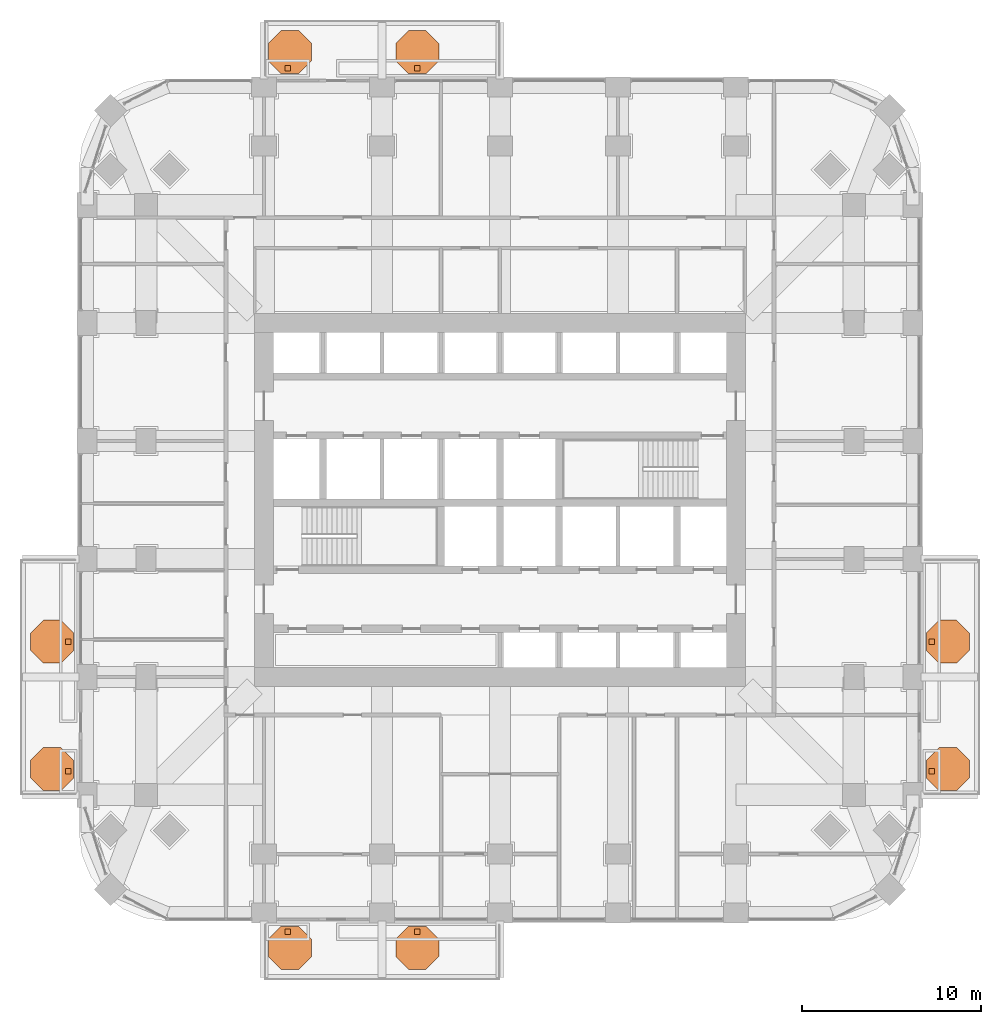
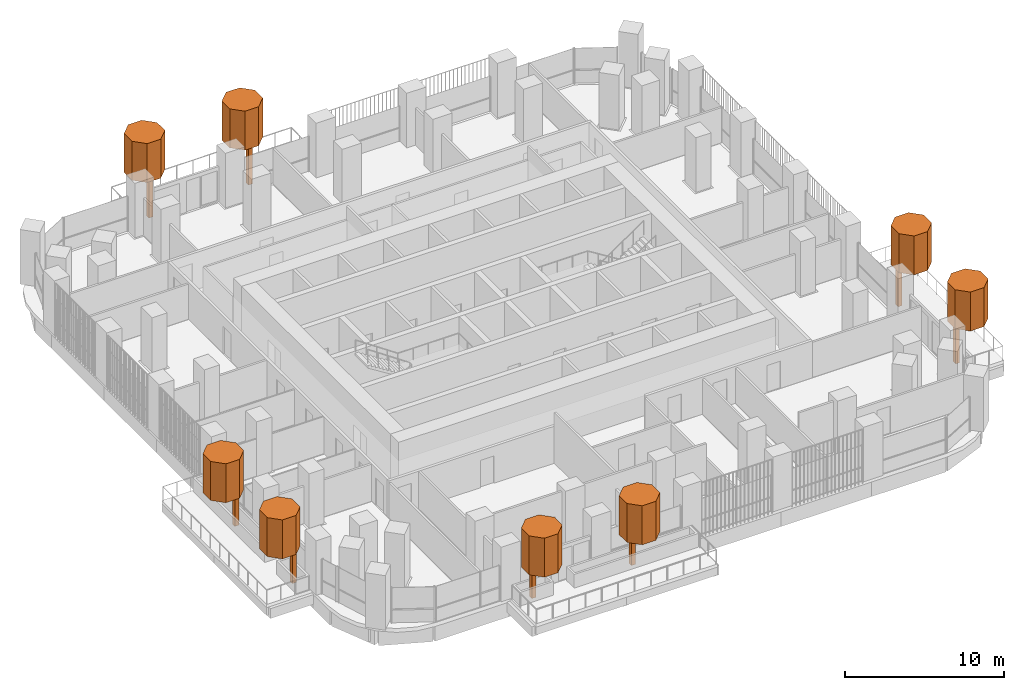
# One storey, part 21 of 21: 16 geographic elements.
"""IFC4 building model written with IfcOpenShell, lengths in metres."""

from ifc_helpers import new_model, si_unit, direction, frame, origin, origin_2d, place, context, subcontext, project, spatial, polyline, rectangle, outline, extrude, material, type_object, element, save


model = new_model("IFC4")

# Units and contexts
model_context = context("Model", 3, precision=1e-05, world=origin(), true_north=direction((0.0, 1.0)))
body_context = subcontext(model_context, "Body", "Model", "MODEL_VIEW")
ifc_project = project(units=[si_unit("LENGTHUNIT", "METRE"), si_unit("AREAUNIT", "SQUARE_METRE"), si_unit("VOLUMEUNIT", "CUBIC_METRE"), si_unit("PLANEANGLEUNIT", "RADIAN"), si_unit("MASSUNIT", "GRAM", prefix="KILO")], contexts=[model_context])

# Site, building, storey
site_placement = place(None, origin())
site = spatial("IfcSite", under=ifc_project, at=site_placement, CompositionType="ELEMENT")
building_placement = place(site_placement, origin())
building = spatial("IfcBuilding", under=site, at=building_placement, Name="Cobogo Forest Laboratory Tower", CompositionType="ELEMENT")
storey_placement = place(building_placement, frame((0.0, 0.0, 115.800048828125)))
storey = spatial("IfcBuildingStorey", under=building, at=storey_placement, Name="L26", CompositionType="ELEMENT", Elevation=115.800048828125)

# Geographic elements
ifc_material = material(Name="Planting", Category="plant")
geographic_element_type_1 = type_object("IfcGeographicElementType", Name="Tree trunk 300", PredefinedType="USERDEFINED", material=ifc_material)
for number, where, z_axis, x_axis, name in (
    (1, (14.52490234375, -1.050048828125, 0.0), (0.0, 0.0, 1.0), (1.0, 0.0, 0.0), "Tree trunk BAL-S1-PL1 L26"),
    (2, (21.77490234375, -1.050048828125, 0.0), (0.0, 0.0, 1.0), (1.0, 0.0, 0.0), "Tree trunk BAL-S1-PL2 L26"),
    (3, (50.550048828125, 7.925048828125, 0.0), (0.0, 0.0, 1.0), (1.0, 0.0, 0.0), "Tree trunk BAL-E1-PL1 L26"),
    (4, (50.550048828125, 15.175048828125, 0.0), (0.0, 0.0, 1.0), (1.0, 0.0, 0.0), "Tree trunk BAL-E1-PL2 L26"),
    (5, (14.52490234375, 47.25, 0.0), (0.0, 0.0, 1.0), (1.0, 0.0, 0.0), "Tree trunk BAL-N1-PL1 L26"),
    (6, (21.77490234375, 47.25, 0.0), (0.0, 0.0, 1.0), (1.0, 0.0, 0.0), "Tree trunk BAL-N1-PL2 L26"),
    (7, (2.25, 7.925048828125, 0.0), (0.0, 0.0, 1.0), (1.0, 0.0, 0.0), "Tree trunk BAL-W1-PL1 L26"),
    (8, (2.25, 15.175048828125, 0.0), (0.0, 0.0, 1.0), (1.0, 0.0, 0.0), "Tree trunk BAL-W1-PL2 L26"),
):
    element("IfcGeographicElement", number, at=place(storey_placement, frame(where, z_axis=z_axis, x_axis=x_axis)), inside=storey, type_object=geographic_element_type_1, Name=name, ObjectType="TREE TRUNK", PredefinedType="USERDEFINED", context=body_context, shape_type="SweptSolid", body=[
        extrude(rectangle(XDim=0.300048828125, YDim=0.300048828125, at=origin_2d()), origin(), (0.0, 0.0, 1.0), 2.89990234375),
    ])
geographic_element_type_2 = type_object("IfcGeographicElementType", Name="Tree, holm oak 5 m", PredefinedType="USERDEFINED", material=ifc_material)
geographic_element_1_placement = place(storey_placement, frame((0.0, 0.0, 2.89990234375)))
element("IfcGeographicElement", 9, at=geographic_element_1_placement, inside=storey, type_object=geographic_element_type_2, Name="Holm tree BAL-S1-PL1 L26", ObjectType="TREE", PredefinedType="USERDEFINED", context=body_context, shape_type="SweptSolid", body=[
    extrude(outline(polyline([(15.85009765625, -2.447021484375), (15.85009765625, -1.452880859375), (15.14697265625, -0.75), (14.15283203125, -0.75), (13.449951171875, -1.452880859375), (13.449951171875, -2.447021484375), (14.15283203125, -3.14990234375), (15.14697265625, -3.14990234375), (15.85009765625, -2.447021484375)])), origin(), (0.0, 0.0, 1.0), 3.0),
])
geographic_element_2_placement = place(storey_placement, frame((0.0, 0.0, 2.89990234375)))
element("IfcGeographicElement", 10, at=geographic_element_2_placement, inside=storey, type_object=geographic_element_type_2, Name="Holm tree BAL-S1-PL2 L26", ObjectType="TREE", PredefinedType="USERDEFINED", context=body_context, shape_type="SweptSolid", body=[
    extrude(outline(polyline([(22.97509765625, -2.447021484375), (22.97509765625, -1.452880859375), (22.27197265625, -0.75), (21.27783203125, -0.75), (20.574951171875, -1.452880859375), (20.574951171875, -2.447021484375), (21.27783203125, -3.14990234375), (22.27197265625, -3.14990234375), (22.97509765625, -2.447021484375)])), origin(), (0.0, 0.0, 1.0), 3.0),
])
geographic_element_3_placement = place(storey_placement, frame((0.0, 0.0, 2.89990234375)))
element("IfcGeographicElement", 11, at=geographic_element_3_placement, inside=storey, type_object=geographic_element_type_2, Name="Holm tree BAL-E1-PL1 L26", ObjectType="TREE", PredefinedType="USERDEFINED", context=body_context, shape_type="SweptSolid", body=[
    extrude(outline(polyline([(52.64990234375, 7.552978515625), (52.64990234375, 8.547119140625), (51.947021484375, 9.25), (50.952880859375, 9.25), (50.25, 8.547119140625), (50.25, 7.552978515625), (50.952880859375, 6.85009765625), (51.947021484375, 6.85009765625), (52.64990234375, 7.552978515625)])), origin(), (0.0, 0.0, 1.0), 3.0),
])
geographic_element_4_placement = place(storey_placement, frame((0.0, 0.0, 2.89990234375)))
element("IfcGeographicElement", 12, at=geographic_element_4_placement, inside=storey, type_object=geographic_element_type_2, Name="Holm tree BAL-E1-PL2 L26", ObjectType="TREE", PredefinedType="USERDEFINED", context=body_context, shape_type="SweptSolid", body=[
    extrude(outline(polyline([(52.64990234375, 14.677978515625), (52.64990234375, 15.672119140625), (51.947021484375, 16.375), (50.952880859375, 16.375), (50.25, 15.672119140625), (50.25, 14.677978515625), (50.952880859375, 13.97509765625), (51.947021484375, 13.97509765625), (52.64990234375, 14.677978515625)])), origin(), (0.0, 0.0, 1.0), 3.0),
])
geographic_element_5_placement = place(storey_placement, frame((0.0, 0.0, 2.89990234375)))
element("IfcGeographicElement", 13, at=geographic_element_5_placement, inside=storey, type_object=geographic_element_type_2, Name="Holm tree BAL-N1-PL1 L26", ObjectType="TREE", PredefinedType="USERDEFINED", context=body_context, shape_type="SweptSolid", body=[
    extrude(outline(polyline([(15.85009765625, 47.65283203125), (15.85009765625, 48.64697265625), (15.14697265625, 49.35009765625), (14.15283203125, 49.35009765625), (13.449951171875, 48.64697265625), (13.449951171875, 47.65283203125), (14.15283203125, 46.949951171875), (15.14697265625, 46.949951171875), (15.85009765625, 47.65283203125)])), origin(), (0.0, 0.0, 1.0), 3.0),
])
geographic_element_6_placement = place(storey_placement, frame((0.0, 0.0, 2.89990234375)))
element("IfcGeographicElement", 14, at=geographic_element_6_placement, inside=storey, type_object=geographic_element_type_2, Name="Holm tree BAL-N1-PL2 L26", ObjectType="TREE", PredefinedType="USERDEFINED", context=body_context, shape_type="SweptSolid", body=[
    extrude(outline(polyline([(22.97509765625, 47.65283203125), (22.97509765625, 48.64697265625), (22.27197265625, 49.35009765625), (21.27783203125, 49.35009765625), (20.574951171875, 48.64697265625), (20.574951171875, 47.65283203125), (21.27783203125, 46.949951171875), (22.27197265625, 46.949951171875), (22.97509765625, 47.65283203125)])), origin(), (0.0, 0.0, 1.0), 3.0),
])
geographic_element_7_placement = place(storey_placement, frame((0.0, 0.0, 2.89990234375)))
element("IfcGeographicElement", 15, at=geographic_element_7_placement, inside=storey, type_object=geographic_element_type_2, Name="Holm tree BAL-W1-PL1 L26", ObjectType="TREE", PredefinedType="USERDEFINED", context=body_context, shape_type="SweptSolid", body=[
    extrude(outline(polyline([(2.550048828125, 7.552978515625), (2.550048828125, 8.547119140625), (1.84716796875, 9.25), (0.85302734375, 9.25), (0.14990234375, 8.547119140625), (0.14990234375, 7.552978515625), (0.85302734375, 6.85009765625), (1.84716796875, 6.85009765625), (2.550048828125, 7.552978515625)])), origin(), (0.0, 0.0, 1.0), 3.0),
])
geographic_element_8_placement = place(storey_placement, frame((0.0, 0.0, 2.89990234375)))
element("IfcGeographicElement", 16, at=geographic_element_8_placement, inside=storey, type_object=geographic_element_type_2, Name="Holm tree BAL-W1-PL2 L26", ObjectType="TREE", PredefinedType="USERDEFINED", context=body_context, shape_type="SweptSolid", body=[
    extrude(outline(polyline([(2.550048828125, 14.677978515625), (2.550048828125, 15.672119140625), (1.84716796875, 16.375), (0.85302734375, 16.375), (0.14990234375, 15.672119140625), (0.14990234375, 14.677978515625), (0.85302734375, 13.97509765625), (1.84716796875, 13.97509765625), (2.550048828125, 14.677978515625)])), origin(), (0.0, 0.0, 1.0), 3.0),
])

save(model, "model.ifc")
